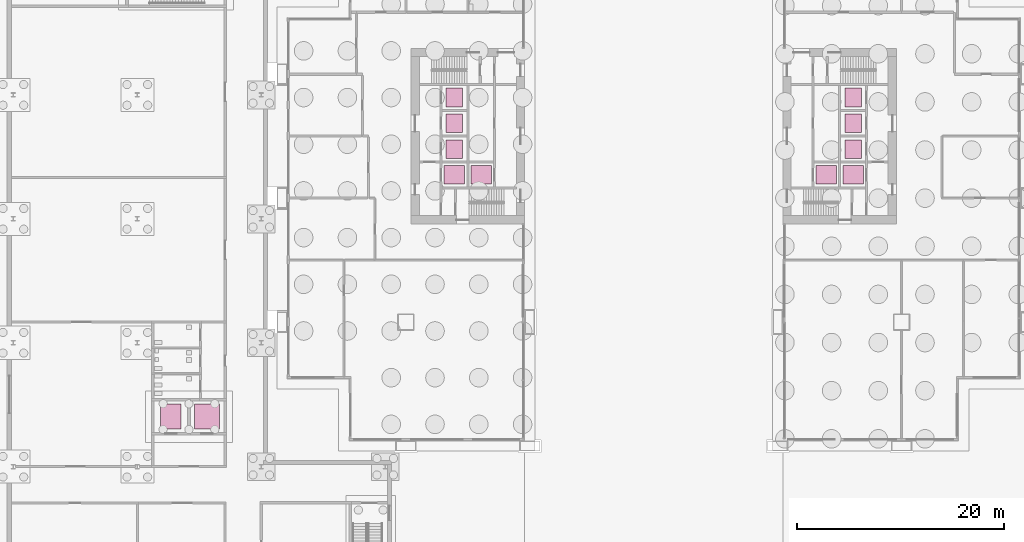
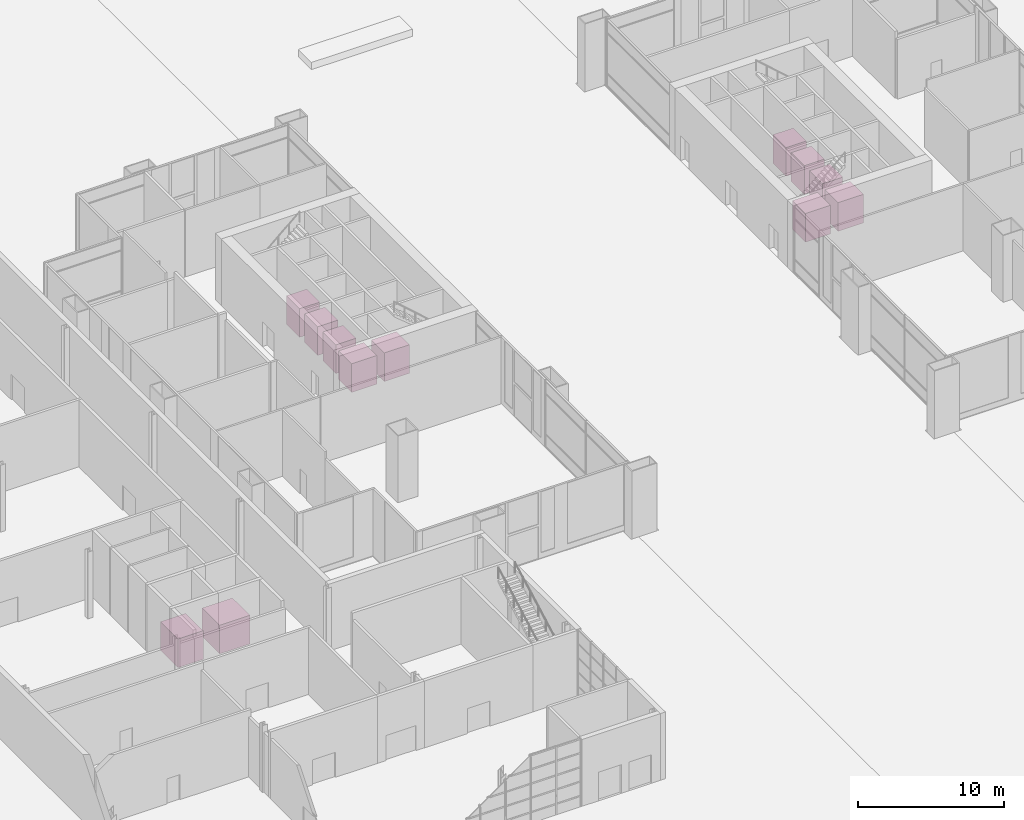
# One storey, part 29 of 29: 12 transport elements.
"""IFC4 building model written with IfcOpenShell, lengths in metres."""

from ifc_helpers import new_model, si_unit, direction, frame, origin, origin_2d, place, context, subcontext, project, spatial, rectangle, extrude, material, type_object, element, save


model = new_model("IFC4")

# Units and contexts
model_context = context("Model", 3, precision=1e-05, world=origin(), true_north=direction((0.0, 1.0)))
body_context = subcontext(model_context, "Body", "Model", "MODEL_VIEW")
ifc_project = project(units=[si_unit("LENGTHUNIT", "METRE"), si_unit("AREAUNIT", "SQUARE_METRE"), si_unit("VOLUMEUNIT", "CUBIC_METRE"), si_unit("PLANEANGLEUNIT", "RADIAN"), si_unit("MASSUNIT", "GRAM", prefix="KILO")], contexts=[model_context])

# Site, building, storey
site_placement = place(None, origin())
site = spatial("IfcSite", under=ifc_project, at=site_placement, CompositionType="ELEMENT")
building_placement = place(site_placement, origin())
building = spatial("IfcBuilding", under=site, at=building_placement, Name="Kitamizu Gate Tower and Museum", CompositionType="ELEMENT")
storey_placement = place(building_placement, origin())
storey = spatial("IfcBuildingStorey", under=building, at=storey_placement, Name="L00", CompositionType="ELEMENT", Elevation=0.0)

# Transport elements
ifc_material_1 = material(Name="Stainless steel SUS304", Category="steel")
transport_element_type_1 = type_object("IfcTransportElementType", Name="Firefighting lift 1600 kg", PredefinedType="ELEVATOR", material=ifc_material_1)
for number, where, z_axis, x_axis, name in (
    (1, (16.699951171875, 26.25, -0.89990234375), (0.0, 0.0, 1.0), (1.0, 0.0, 0.0), "Firefighting lift WFF1"),
    (2, (55.300048828125, 26.25, -0.89990234375), (0.0, 0.0, 1.0), (1.0, 0.0, 0.0), "Firefighting lift EFF1"),
):
    element("IfcTransportElement", number, at=place(storey_placement, frame(where, z_axis=z_axis, x_axis=x_axis)), inside=storey, type_object=transport_element_type_1, Name=name, PredefinedType="ELEVATOR", context=body_context, shape_type="SweptSolid", body=[
        extrude(rectangle(XDim=2.0, YDim=1.800048828125, at=origin_2d()), origin(), (0.0, 0.0, 1.0), 2.39990234375),
    ])
ifc_material_2 = material(Name="Stainless steel SUS304", Category="steel")
transport_element_type_2 = type_object("IfcTransportElementType", Name="Museum passenger lift car", PredefinedType="ELEVATOR", material=ifc_material_2)
transport_element_1_placement = place(storey_placement, frame((-10.75, 2.85009765625, 0.0), z_axis=(0.0, 0.0, 1.0), x_axis=(1.0, 0.0, 0.0)))
element("IfcTransportElement", 3, at=transport_element_1_placement, inside=storey, type_object=transport_element_type_2, Name="Passenger lift", PredefinedType="ELEVATOR", context=body_context, shape_type="SweptSolid", body=[
    extrude(rectangle(XDim=2.0, YDim=2.39990234375, at=origin_2d()), origin(), (0.0, 0.0, 1.0), 2.39990234375),
])
ifc_material_3 = material(Name="Stainless steel SUS304", Category="steel")
transport_element_type_3 = type_object("IfcTransportElementType", Name="Museum service lift car", PredefinedType="ELEVATOR", material=ifc_material_3)
transport_element_2_placement = place(storey_placement, frame((-7.25, 2.85009765625, 0.0), z_axis=(0.0, 0.0, 1.0), x_axis=(1.0, 0.0, 0.0)))
element("IfcTransportElement", 4, at=transport_element_2_placement, inside=storey, type_object=transport_element_type_3, Name="Service lift", PredefinedType="ELEVATOR", context=body_context, shape_type="SweptSolid", body=[
    extrude(rectangle(XDim=2.39990234375, YDim=2.39990234375, at=origin_2d()), origin(), (0.0, 0.0, 1.0), 2.39990234375),
])
ifc_material_4 = material(Name="Stainless steel SUS304", Category="steel")
transport_element_type_4 = type_object("IfcTransportElementType", Name="Passenger lift 1350 kg", PredefinedType="ELEVATOR", material=ifc_material_4)
for number, where, z_axis, x_axis, name in (
    (5, (16.699951171875, 28.75, -0.89990234375), (0.0, 0.0, 1.0), (1.0, 0.0, 0.0), "Passenger lift WL1"),
    (6, (16.699951171875, 31.25, -0.89990234375), (0.0, 0.0, 1.0), (1.0, 0.0, 0.0), "Passenger lift WL2"),
    (7, (16.699951171875, 33.75, -0.89990234375), (0.0, 0.0, 1.0), (1.0, 0.0, 0.0), "Passenger lift WL3"),
    (8, (55.300048828125, 28.75, -0.89990234375), (0.0, 0.0, 1.0), (1.0, 0.0, 0.0), "Passenger lift EL1"),
    (9, (55.300048828125, 31.25, -0.89990234375), (0.0, 0.0, 1.0), (1.0, 0.0, 0.0), "Passenger lift EL2"),
    (10, (55.300048828125, 33.75, -0.89990234375), (0.0, 0.0, 1.0), (1.0, 0.0, 0.0), "Passenger lift EL3"),
):
    element("IfcTransportElement", number, at=place(storey_placement, frame(where, z_axis=z_axis, x_axis=x_axis)), inside=storey, type_object=transport_element_type_4, Name=name, PredefinedType="ELEVATOR", context=body_context, shape_type="SweptSolid", body=[
        extrude(rectangle(XDim=1.60009765625, YDim=1.800048828125, at=origin_2d()), origin(), (0.0, 0.0, 1.0), 2.39990234375),
    ])
ifc_material_5 = material(Name="Stainless steel SUS304", Category="steel")
transport_element_type_5 = type_object("IfcTransportElementType", Name="Service lift 1600 kg", PredefinedType="ELEVATOR", material=ifc_material_5)
for number, where, z_axis, x_axis, name in (
    (11, (19.300048828125, 26.25, -0.89990234375), (0.0, 0.0, 1.0), (1.0, 0.0, 0.0), "Service lift WSV1"),
    (12, (52.699951171875, 26.25, -0.89990234375), (0.0, 0.0, 1.0), (1.0, 0.0, 0.0), "Service lift ESV1"),
):
    element("IfcTransportElement", number, at=place(storey_placement, frame(where, z_axis=z_axis, x_axis=x_axis)), inside=storey, type_object=transport_element_type_5, Name=name, PredefinedType="ELEVATOR", context=body_context, shape_type="SweptSolid", body=[
        extrude(rectangle(XDim=2.0, YDim=1.800048828125, at=origin_2d()), origin(), (0.0, 0.0, 1.0), 2.39990234375),
    ])

save(model, "model.ifc")
